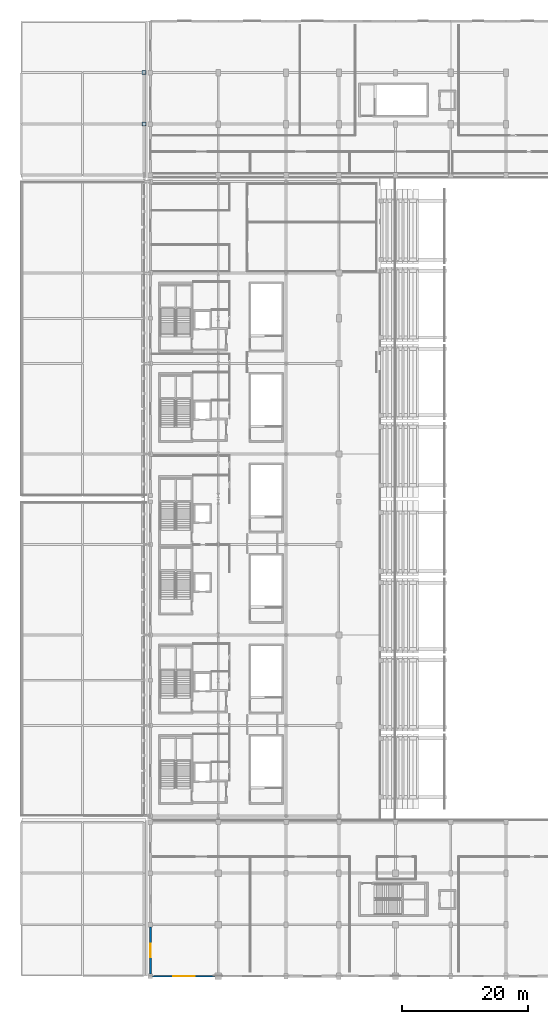
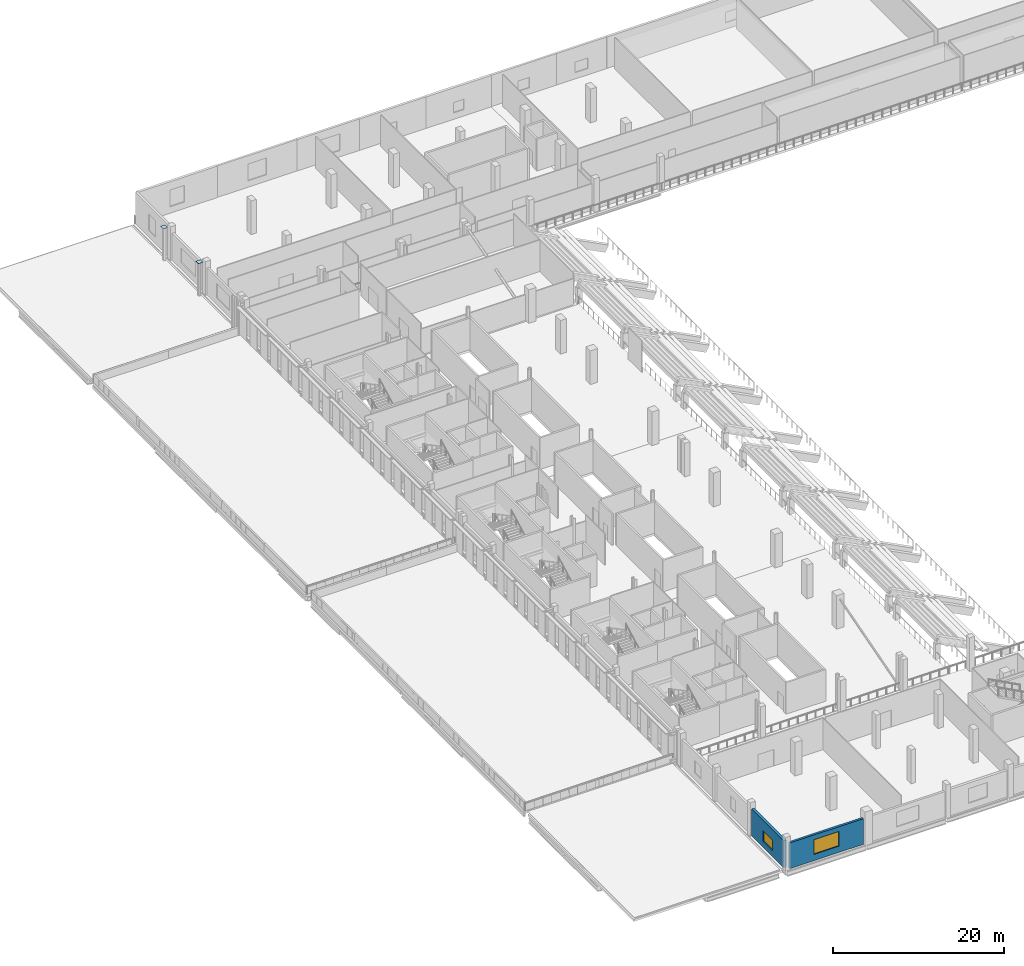
# One storey, part 27 of 74: 2 plates, 2 walls, 2 windows, 2 openings.
"""IFC4 building model written with IfcOpenShell, lengths in metres."""

from ifc_helpers import new_model, si_unit, direction, frame, frame_2d, origin, origin_2d, place, context, subcontext, project, spatial, rectangle, extrude, material, layer, layer_set, type_object, element, fill, save


model = new_model("IFC4")

# Units and contexts
model_context = context("Model", 3, precision=1e-05, world=origin(), true_north=direction((0.0, 1.0)))
body_context = subcontext(model_context, "Body", "Model", "MODEL_VIEW")
ifc_project = project(units=[si_unit("LENGTHUNIT", "METRE"), si_unit("AREAUNIT", "SQUARE_METRE"), si_unit("VOLUMEUNIT", "CUBIC_METRE"), si_unit("PLANEANGLEUNIT", "RADIAN"), si_unit("MASSUNIT", "GRAM", prefix="KILO")], contexts=[model_context])

# Site, building, storey
site_placement = place(None, origin())
site = spatial("IfcSite", under=ifc_project, at=site_placement, CompositionType="ELEMENT")
building_placement = place(site_placement, origin())
building = spatial("IfcBuilding", under=site, at=building_placement, Name="Koshinbarg Plaza Stadium", CompositionType="ELEMENT")
storey_placement = place(building_placement, frame((0.0, 0.0, 15.0)))
storey = spatial("IfcBuildingStorey", under=building, at=storey_placement, Name="L03", CompositionType="ELEMENT", Elevation=15.0)

# Plates
ifc_material_1 = material(Name="Steel S355", Category="steel")
ifc_layer_1 = layer(ifc_material_1, 0.02001953125)
ifc_layer_set_1 = layer_set([ifc_layer_1], Name="Steel S355")
plate_type = type_object("IfcPlateType", Name="PLT-GUS-04", PredefinedType="USERDEFINED", material=ifc_layer_set_1)
for number, where, z_axis, x_axis, name in (
    (1, (23.60009765625, 135.60009765625, 4.800048828125), (0.0, 0.0, 1.0), (1.0, 0.0, 0.0), "Hollow column sealed end cap plate L03 4/T"),
    (2, (23.60009765625, 143.800048828125, 4.800048828125), (0.0, 0.0, 1.0), (1.0, 0.0, 0.0), "Hollow column sealed end cap plate L03 4/U"),
):
    element("IfcPlate", number, at=place(storey_placement, frame(where, z_axis=z_axis, x_axis=x_axis)), inside=storey, type_object=plate_type, Name=name, ObjectType="GUSSET_PLATE", PredefinedType="USERDEFINED", context=body_context, shape_type="SweptSolid", body=[
        extrude(rectangle(XDim=0.6201171875, YDim=0.6201171875, at=origin_2d()), origin(), (0.0, 0.0, 1.0), 0.02001953125),
    ])

# Wall, opening, window
ifc_material_2 = material(Name="Off-white mineral plaster insulated wall", Category="masonry")
ifc_layer_2 = layer(ifc_material_2, 0.300048828125)
ifc_layer_set_2 = layer_set([ifc_layer_2], Name="Off-white mineral plaster insulated wall")
wall_type_1 = type_object("IfcWallType", Name="WL-EXT-300", PredefinedType="SOLIDWALL", material=ifc_layer_set_2)
wall_1_placement = place(storey_placement, frame((34.905029296875, 0.0, 0.0), z_axis=(0.0, 0.0, 1.0), x_axis=(-1.0, 0.0, 0.0)))
wall_1 = element("IfcWall", 3, at=wall_1_placement, inside=storey, type_object=wall_type_1, Name="L03 exterior envelope wall EWL-L03-0201", PredefinedType="SOLIDWALL", context=body_context, shape_type="SweptSolid", body=[
    extrude(rectangle(XDim=9.9599609375, YDim=0.300048828125, at=frame_2d((4.97998046875, 0.0))), origin(), (0.0, 0.0, 1.0), 3.679931640625),
])
opening_1_placement = place(wall_1_placement, frame((3.280029296875, 0.0, 0.89990234375)))
opening_1 = element("IfcOpeningElement", 4, at=opening_1_placement, cuts=wall_1, Name="Opening WN18", PredefinedType="OPENING", context=body_context, shape_type="SweptSolid", body=[
    extrude(rectangle(XDim=3.39990234375, YDim=2.10009765625, at=frame_2d((1.699951171875, 1.050048828125))), frame((0.0, 0.159912109375, 0.0), z_axis=(0.0, -1.0, 0.0), x_axis=(1.0, 0.0, 0.0)), (0.0, 0.0, 1.0), 0.320068359375),
])
ifc_material_3 = material(Name="Solar-control double glazing in thermally broken aluminium frame", Category="aluminium")
window_type_1 = type_object("IfcWindowType", Name="WN-FAC-18", PartitioningType="DOUBLE_PANEL_VERTICAL", PredefinedType="WINDOW", material=ifc_material_3)
window_1_placement = place(opening_1_placement, origin())
window_1 = element("IfcWindow", 5, at=window_1_placement, inside=storey, type_object=window_type_1, Name="L03 facade window 0134", OverallHeight=2.10009765625, OverallWidth=3.39990234375, PartitioningType="SINGLE_PANEL", PredefinedType="WINDOW", context=body_context, shape_type="SweptSolid", body=[
    extrude(rectangle(XDim=3.39990234375, YDim=2.10009765625, at=frame_2d((1.699951171875, 1.050048828125))), frame((0.0, 0.030029296875, 0.0), z_axis=(0.0, -1.0, 0.0), x_axis=(1.0, 0.0, 0.0)), (0.0, 0.0, 1.0), 0.06005859375),
])
fill(opening_1, window_1)

ifc_material_4 = material(Name="Acoustic insulated masonry stadium wall", Category="masonry")
ifc_layer_3 = layer(ifc_material_4, 0.35009765625)
ifc_layer_set_3 = layer_set([ifc_layer_3], Name="Acoustic insulated masonry stadium wall")
wall_type_2 = type_object("IfcWallType", Name="WL-EXT-350", PredefinedType="SOLIDWALL", material=ifc_layer_set_3)
wall_2_placement = place(storey_placement, frame((24.60009765625, 0.344970703125, 0.0), z_axis=(0.0, 0.0, 1.0), x_axis=(0.0, 1.0, 0.0)))
wall_2 = element("IfcWall", 6, at=wall_2_placement, inside=storey, type_object=wall_type_2, Name="L03 exterior envelope wall EWL-L03-0143", PredefinedType="SOLIDWALL", context=body_context, shape_type="SweptSolid", body=[
    extrude(rectangle(XDim=7.510009765625, YDim=0.35009765625, at=frame_2d((3.7548828125, 0.0))), origin(), (0.0, 0.0, 1.0), 3.8798828125),
])
opening_2_placement = place(wall_2_placement, frame((2.655029296875, 0.0, 0.89990234375)))
opening_2 = element("IfcOpeningElement", 7, at=opening_2_placement, cuts=wall_2, Name="Opening WN06", PredefinedType="OPENING", context=body_context, shape_type="SweptSolid", body=[
    extrude(rectangle(XDim=2.199951171875, YDim=1.5, at=frame_2d((1.10009765625, 0.75))), frame((0.0, 0.18505859375, 0.0), z_axis=(0.0, -1.0, 0.0), x_axis=(1.0, 0.0, 0.0)), (0.0, 0.0, 1.0), 0.3701171875),
])
window_type_2 = type_object("IfcWindowType", Name="WN-FAC-06", PartitioningType="DOUBLE_PANEL_VERTICAL", PredefinedType="WINDOW", material=ifc_material_3)
window_2_placement = place(opening_2_placement, origin())
window_2 = element("IfcWindow", 8, at=window_2_placement, inside=storey, type_object=window_type_2, Name="L03 facade window 0078", OverallHeight=1.5, OverallWidth=2.199951171875, PartitioningType="SINGLE_PANEL", PredefinedType="WINDOW", context=body_context, shape_type="SweptSolid", body=[
    extrude(rectangle(XDim=2.199951171875, YDim=1.5, at=frame_2d((1.10009765625, 0.75))), frame((0.0, 0.030029296875, 0.0), z_axis=(0.0, -1.0, 0.0), x_axis=(1.0, 0.0, 0.0)), (0.0, 0.0, 1.0), 0.06005859375),
])
fill(opening_2, window_2)

save(model, "model.ifc")
